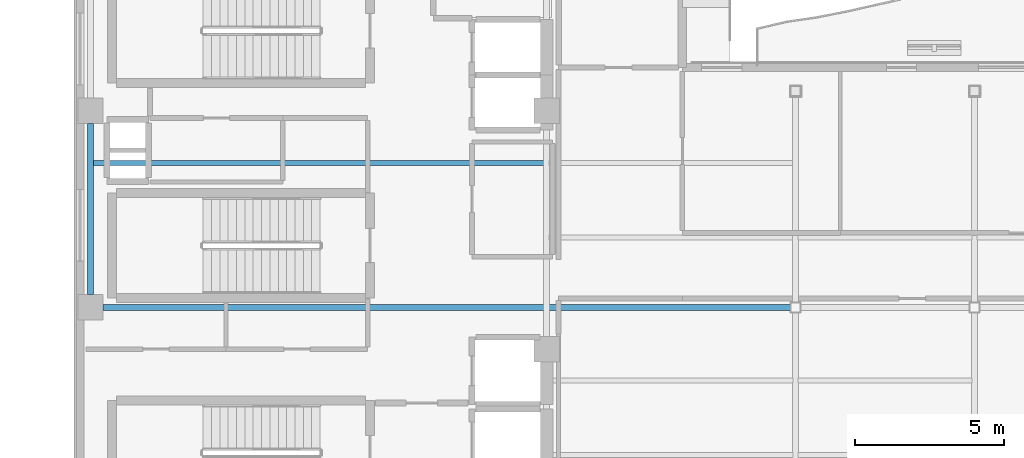
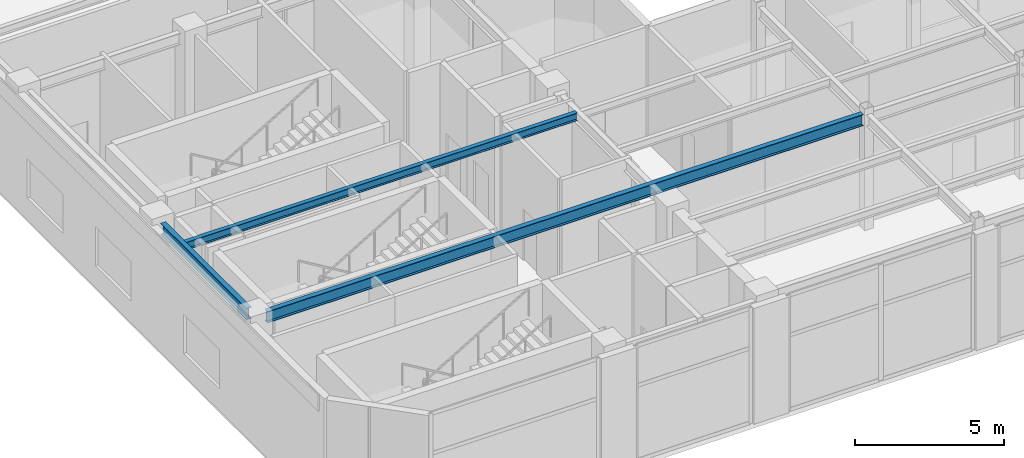
# One storey, part 3 of 16: 3 beams.
"""IFC4 building model written with IfcOpenShell, lengths in metres."""

from ifc_helpers import new_model, si_unit, direction, frame, origin, origin_2d, place, context, subcontext, project, spatial, i_section, extrude, material, material_profile, profile_set, type_object, element, save


model = new_model("IFC4")

# Units and contexts
model_context = context("Model", 3, precision=1e-05, world=origin(), true_north=direction((0.0, 1.0)))
body_context = subcontext(model_context, "Body", "Model", "MODEL_VIEW")
ifc_project = project(units=[si_unit("LENGTHUNIT", "METRE"), si_unit("AREAUNIT", "SQUARE_METRE"), si_unit("VOLUMEUNIT", "CUBIC_METRE"), si_unit("PLANEANGLEUNIT", "RADIAN"), si_unit("MASSUNIT", "GRAM", prefix="KILO")], contexts=[model_context])

# Site, building, storey
site_placement = place(None, origin())
site = spatial("IfcSite", under=ifc_project, at=site_placement, CompositionType="ELEMENT")
building_placement = place(site_placement, origin())
building = spatial("IfcBuilding", under=site, at=building_placement, Name="Mawjaban Terraces University", CompositionType="ELEMENT")
storey_placement = place(building_placement, frame((0.0, 0.0, 311.699951171875)))
storey = spatial("IfcBuildingStorey", under=building, at=storey_placement, Name="L76", CompositionType="ELEMENT", Elevation=311.699951171875)

# Beams
ifc_material = material(Name="Steel ASTM A572 Grade 50", Category="steel")
ifc_material_profile_1 = material_profile(ifc_material, i_section(OverallWidth=0.194091796875, OverallDepth=0.468994140625, WebThickness=0.011474609375, FlangeThickness=0.0205078125, at=origin_2d()), Name="W460X106")
ifc_profile_set_1 = profile_set([ifc_material_profile_1], Name="Steel ASTM A572 Grade 50")
beam_type_1 = type_object("IfcBeamType", Name="Beam_B_W460X106", PredefinedType="BEAM", material=ifc_profile_set_1)
beam_1_placement = place(storey_placement, frame((22.77490234375, 7.949951171875, 4.505126953125), z_axis=(1.0, 0.0, 0.0), x_axis=(0.0, 1.0, 0.0)))
element("IfcBeam", 1, at=beam_1_placement, inside=storey, type_object=beam_type_1, Name="L76 Beam BM-L76-EW-03", PredefinedType="BEAM", context=body_context, shape_type="SweptSolid", body=[
    extrude(i_section(OverallWidth=0.194091796875, OverallDepth=0.468994140625, WebThickness=0.011474609375, FlangeThickness=0.0205078125, at=origin_2d()), origin(), (0.0, 0.0, 1.0), 23.050048828125),
])
beam_2_placement = place(storey_placement, frame((22.35009765625, 8.375, 4.505126953125), z_axis=(0.0, 1.0, 0.0), x_axis=(-1.0, 0.0, 0.0)))
element("IfcBeam", 2, at=beam_2_placement, inside=storey, type_object=beam_type_1, Name="L76 Beam BM-L76-NS-01", PredefinedType="BEAM", context=body_context, shape_type="SweptSolid", body=[
    extrude(i_section(OverallWidth=0.194091796875, OverallDepth=0.468994140625, WebThickness=0.011474609375, FlangeThickness=0.0205078125, at=origin_2d()), origin(), (0.0, 0.0, 1.0), 5.75),
])
ifc_material_profile_2 = material_profile(ifc_material, i_section(OverallWidth=0.1669921875, OverallDepth=0.318115234375, WebThickness=0.007568359375, FlangeThickness=0.01318359375, at=origin_2d()), Name="W310X52")
ifc_profile_set_2 = profile_set([ifc_material_profile_2], Name="Steel ASTM A572 Grade 50")
beam_type_2 = type_object("IfcBeamType", Name="Beam_J_W310X52", PredefinedType="JOIST", material=ifc_profile_set_2)
beam_3_placement = place(storey_placement, frame((22.429931640625, 12.800048828125, 4.5810546875), z_axis=(1.0, 0.0, 0.0), x_axis=(0.0, 1.0, 0.0)))
element("IfcBeam", 3, at=beam_3_placement, inside=storey, type_object=beam_type_2, Name="L76 Composite Joist JST-L76-08", PredefinedType="JOIST", context=body_context, shape_type="SweptSolid", body=[
    extrude(i_section(OverallWidth=0.1669921875, OverallDepth=0.318115234375, WebThickness=0.007568359375, FlangeThickness=0.01318359375, at=origin_2d()), origin(), (0.0, 0.0, 1.0), 15.14013671875),
])

save(model, "model.ifc")
